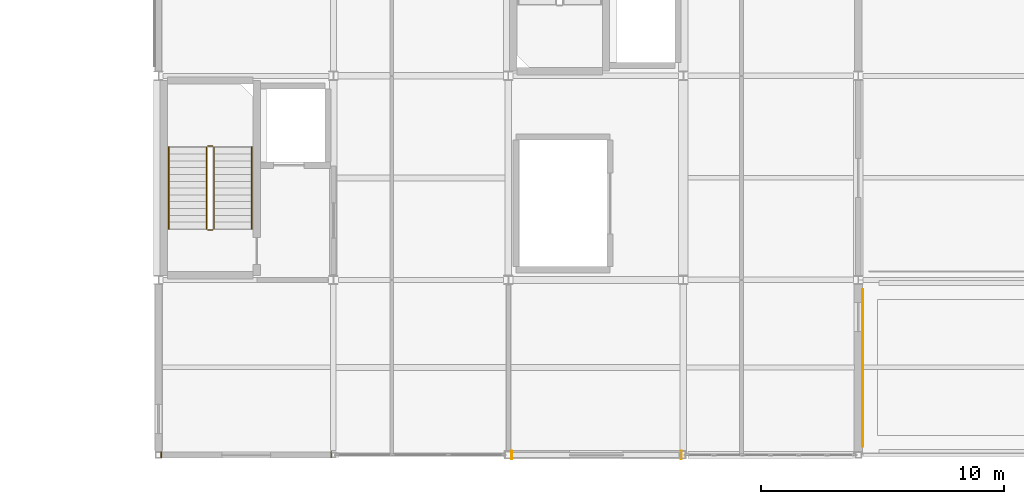
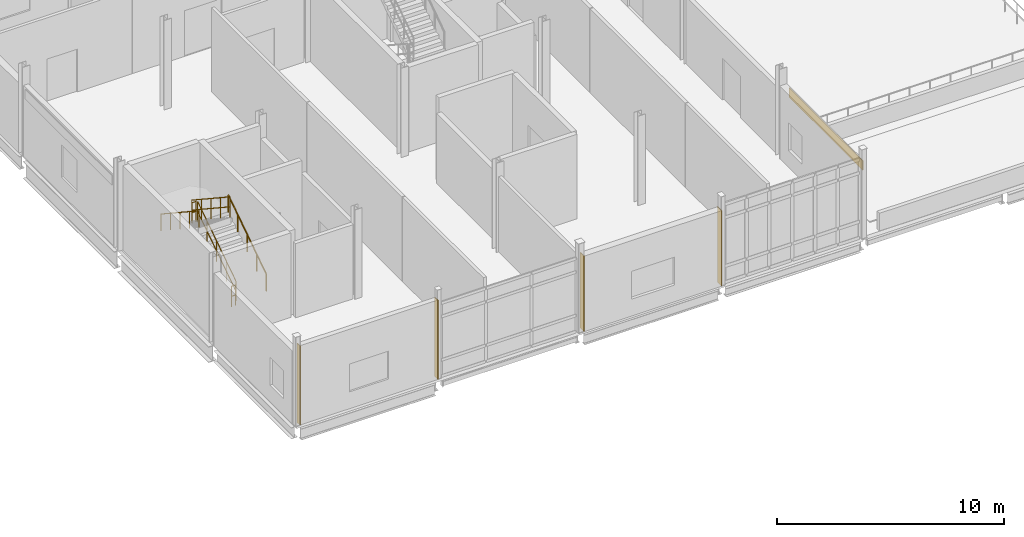
# One storey, part 65 of 72: 6 railings, 5 coverings.
"""IFC4 building model written with IfcOpenShell, lengths in metres."""

from ifc_helpers import new_model, si_unit, direction, frame, origin, origin_2d, place, context, subcontext, project, spatial, polyline, rectangle, circle, outline, extrude, material, layer, layer_set, type_object, element, save


model = new_model("IFC4")

# Units and contexts
model_context = context("Model", 3, precision=1e-05, world=origin(), true_north=direction((0.0, 1.0)))
body_context = subcontext(model_context, "Body", "Model", "MODEL_VIEW")
ifc_project = project(units=[si_unit("LENGTHUNIT", "METRE"), si_unit("AREAUNIT", "SQUARE_METRE"), si_unit("VOLUMEUNIT", "CUBIC_METRE"), si_unit("PLANEANGLEUNIT", "RADIAN"), si_unit("MASSUNIT", "GRAM", prefix="KILO")], contexts=[model_context])

# Site, building, storey
site_placement = place(None, origin())
site = spatial("IfcSite", under=ifc_project, at=site_placement, CompositionType="ELEMENT")
building_placement = place(site_placement, origin())
building = spatial("IfcBuilding", under=site, at=building_placement, Name="Calvrana Isthmian Art Gallery", CompositionType="ELEMENT")
storey_placement = place(building_placement, frame((0.0, 0.0, 15.0)))
storey = spatial("IfcBuildingStorey", under=building, at=storey_placement, Name="L03", CompositionType="ELEMENT", Elevation=15.0)

# Coverings
ifc_material_1 = material(Name="Polychrome glazed terracotta", Category="masonry")
ifc_layer = layer(ifc_material_1, 0.0400390625, Name="Polychrome glazed terracotta")
ifc_layer_set = layer_set([ifc_layer], Name="Polychrome glazed terracotta")
covering_type = type_object("IfcCoveringType", Name="COV-CLAD-TERRA", PredefinedType="CLADDING", material=ifc_layer_set)
covering_1_placement = place(storey_placement, origin())
element("IfcCovering", 1, at=covering_1_placement, inside=storey, type_object=covering_type, Name="Column pocket weather closure L03-14-02-W", PredefinedType="CLADDING", context=body_context, shape_type="SweptSolid", body=[
    extrude(outline(polyline([(112.886962890625, 14.27490234375), (112.927001953125, 14.27490234375), (112.927001953125, 14.52490234375), (112.886962890625, 14.52490234375), (112.886962890625, 14.27490234375)])), origin(), (0.0, 0.0, 1.0), 4.26611328125),
])
covering_2_placement = place(storey_placement, origin())
element("IfcCovering", 2, at=covering_2_placement, inside=storey, type_object=covering_type, Name="Column pocket weather closure L03-14-02-E", PredefinedType="CLADDING", context=body_context, shape_type="SweptSolid", body=[
    extrude(outline(polyline([(119.8984375, 14.27490234375), (119.9384765625, 14.27490234375), (119.9384765625, 14.52490234375), (119.8984375, 14.52490234375), (119.8984375, 14.27490234375)])), origin(), (0.0, 0.0, 1.0), 4.26611328125),
])
covering_3_placement = place(storey_placement, origin())
element("IfcCovering", 3, at=covering_3_placement, inside=storey, type_object=covering_type, Name="Column pocket weather closure L03-16-02-W", PredefinedType="CLADDING", context=body_context, shape_type="SweptSolid", body=[
    extrude(outline(polyline([(127.3125, 14.22509765625), (127.352294921875, 14.22509765625), (127.352294921875, 14.574951171875), (127.3125, 14.574951171875), (127.3125, 14.22509765625)])), origin(), (0.0, 0.0, 1.0), 4.05810546875),
])
covering_4_placement = place(storey_placement, origin())
element("IfcCovering", 4, at=covering_4_placement, inside=storey, type_object=covering_type, Name="Column pocket weather closure L03-16-02-E", PredefinedType="CLADDING", context=body_context, shape_type="SweptSolid", body=[
    extrude(outline(polyline([(134.29833984375, 14.22509765625), (134.33837890625, 14.22509765625), (134.33837890625, 14.574951171875), (134.29833984375, 14.574951171875), (134.29833984375, 14.22509765625)])), origin(), (0.0, 0.0, 1.0), 4.05810546875),
])
covering_5_placement = place(storey_placement, frame((141.79296875, 17.972900390625, 3.31298828125), z_axis=(0.0, 0.0, 1.0), x_axis=(0.0, -1.0, 0.0)))
element("IfcCovering", 5, at=covering_5_placement, inside=storey, type_object=covering_type, Name="Terracotta spandrel cladding 175", PredefinedType="CLADDING", context=body_context, shape_type="SweptSolid", body=[
    extrude(rectangle(XDim=6.491455078125, YDim=0.0400390625, at=origin_2d()), origin(), (0.0, 0.0, 1.0), 0.5),
])

# Railings
ifc_material_2 = material(Name="Stainless steel 316", Category="steel")
railing_type_1 = type_object("IfcRailingType", Name="RL-GUARD-1120", PredefinedType="BALUSTRADE", material=ifc_material_2)
railing_1_placement = place(storey_placement, frame((115.080078125, 23.699951171875, 0.1845703125)))
element("IfcRailing", 6, at=railing_1_placement, inside=storey, type_object=railing_type_1, Name="Stair ST-3 guard L03-1", PredefinedType="BALUSTRADE", context=body_context, shape_type="SweptSolid", body=[
    extrude(circle(Radius=0.02392578125, at=origin_2d()), frame((0.0, 0.0, 1.09619140625), z_axis=(0.0, 0.834876476806, 0.550437342915), x_axis=(-1.0, 0.0, 0.0)), (0.0, 0.0, 1.0), 4.024658203125),
    extrude(circle(Radius=0.02392578125, at=origin_2d()), frame((0.0, 0.0, 0.56005859375), z_axis=(0.0, 0.834876476806, 0.550437342915), x_axis=(-1.0, 0.0, 0.0)), (0.0, 0.0, 1.0), 4.024658203125),
    extrude(circle(Radius=0.02099609375, at=origin_2d()), origin(), (0.0, 0.0, 1.0), 1.072021484375),
    extrude(circle(Radius=0.02099609375, at=origin_2d()), frame((0.0, 0.840087890625, 0.5537109375)), (0.0, 0.0, 1.0), 1.072021484375),
    extrude(circle(Radius=0.02099609375, at=origin_2d()), frame((0.0, 1.68017578125, 1.107666015625)), (0.0, 0.0, 1.0), 1.072021484375),
    extrude(circle(Radius=0.02099609375, at=origin_2d()), frame((0.0, 2.52001953125, 1.66162109375)), (0.0, 0.0, 1.0), 1.072021484375),
    extrude(circle(Radius=0.02099609375, at=origin_2d()), frame((0.0, 3.360107421875, 2.21533203125)), (0.0, 0.0, 1.0), 1.072021484375),
])
railing_2_placement = place(storey_placement, frame((115.030029296875, 27.110107421875, 2.39990234375)))
element("IfcRailing", 7, at=railing_2_placement, inside=storey, type_object=railing_type_1, Name="Stair ST-3 guard L03-2", PredefinedType="BALUSTRADE", context=body_context, shape_type="SweptSolid", body=[
    extrude(circle(Radius=0.02392578125, at=origin_2d()), frame((0.0, 0.0, 1.09619140625), z_axis=(-1.0, 0.0, 0.0), x_axis=(0.0, -1.0, 0.0)), (0.0, 0.0, 1.0), 0.199951171875),
    extrude(circle(Radius=0.02392578125, at=origin_2d()), frame((0.0, 0.0, 0.56005859375), z_axis=(-1.0, 0.0, 0.0), x_axis=(0.0, -1.0, 0.0)), (0.0, 0.0, 1.0), 0.199951171875),
    extrude(circle(Radius=0.02099609375, at=origin_2d()), origin(), (0.0, 0.0, 1.0), 1.072021484375),
    extrude(circle(Radius=0.02099609375, at=origin_2d()), frame((-0.199951171875, 0.0, 0.0)), (0.0, 0.0, 1.0), 1.072021484375),
])
railing_3_placement = place(storey_placement, frame((114.780029296875, 27.06005859375, 2.584716796875)))
element("IfcRailing", 8, at=railing_3_placement, inside=storey, type_object=railing_type_1, Name="Stair ST-3 guard L03-3", PredefinedType="BALUSTRADE", context=body_context, shape_type="SweptSolid", body=[
    extrude(circle(Radius=0.02392578125, at=origin_2d()), frame((0.0, 0.0, 1.09619140625), z_axis=(0.0, -0.834876476806, 0.550437342915), x_axis=(1.0, 0.0, 0.0)), (0.0, 0.0, 1.0), 4.024658203125),
    extrude(circle(Radius=0.02392578125, at=origin_2d()), frame((0.0, 0.0, 0.56005859375), z_axis=(0.0, -0.834876476806, 0.550437342915), x_axis=(1.0, 0.0, 0.0)), (0.0, 0.0, 1.0), 4.024658203125),
    extrude(circle(Radius=0.02099609375, at=origin_2d()), origin(), (0.0, 0.0, 1.0), 1.072021484375),
    extrude(circle(Radius=0.02099609375, at=origin_2d()), frame((0.0, -0.840087890625, 0.5537109375)), (0.0, 0.0, 1.0), 1.072021484375),
    extrude(circle(Radius=0.02099609375, at=origin_2d()), frame((0.0, -1.68017578125, 1.107666015625)), (0.0, 0.0, 1.0), 1.072021484375),
    extrude(circle(Radius=0.02099609375, at=origin_2d()), frame((0.0, -2.52001953125, 1.66162109375)), (0.0, 0.0, 1.0), 1.072021484375),
    extrude(circle(Radius=0.02099609375, at=origin_2d()), frame((0.0, -3.360107421875, 2.21533203125)), (0.0, 0.0, 1.0), 1.072021484375),
])
railing_4_placement = place(storey_placement, frame((115.030029296875, 23.64990234375, 0.0)))
element("IfcRailing", 9, at=railing_4_placement, inside=storey, type_object=railing_type_1, Name="Stair ST-3 guard L03-4", PredefinedType="BALUSTRADE", context=body_context, shape_type="SweptSolid", body=[
    extrude(circle(Radius=0.02392578125, at=origin_2d()), frame((0.0, 0.0, 1.09619140625), z_axis=(-1.0, 0.0, 0.0), x_axis=(0.0, -1.0, 0.0)), (0.0, 0.0, 1.0), 0.199951171875),
    extrude(circle(Radius=0.02392578125, at=origin_2d()), frame((0.0, 0.0, 0.56005859375), z_axis=(-1.0, 0.0, 0.0), x_axis=(0.0, -1.0, 0.0)), (0.0, 0.0, 1.0), 0.199951171875),
    extrude(circle(Radius=0.02099609375, at=origin_2d()), origin(), (0.0, 0.0, 1.0), 1.072021484375),
    extrude(circle(Radius=0.02099609375, at=origin_2d()), frame((-0.199951171875, 0.0, 0.0)), (0.0, 0.0, 1.0), 1.072021484375),
])
railing_type_2 = type_object("IfcRailingType", Name="RL-HAND-920", PredefinedType="HANDRAIL", material=ifc_material_2)
railing_5_placement = place(storey_placement, frame((116.639892578125, 23.699951171875, 0.1845703125)))
element("IfcRailing", 10, at=railing_5_placement, inside=storey, type_object=railing_type_2, Name="Stair ST-3 handrail L03-1", PredefinedType="HANDRAIL", context=body_context, shape_type="SweptSolid", body=[
    extrude(circle(Radius=0.02392578125, at=origin_2d()), frame((0.0, 0.0, 0.89599609375), z_axis=(0.0, 0.834876476806, 0.550437342915), x_axis=(-1.0, 0.0, 0.0)), (0.0, 0.0, 1.0), 4.024658203125),
    extrude(circle(Radius=0.02099609375, at=origin_2d()), origin(), (0.0, 0.0, 1.0), 0.871826171875),
    extrude(circle(Radius=0.02099609375, at=origin_2d()), frame((0.0, 0.840087890625, 0.5537109375)), (0.0, 0.0, 1.0), 0.871826171875),
    extrude(circle(Radius=0.02099609375, at=origin_2d()), frame((0.0, 1.68017578125, 1.107666015625)), (0.0, 0.0, 1.0), 0.871826171875),
    extrude(circle(Radius=0.02099609375, at=origin_2d()), frame((0.0, 2.52001953125, 1.66162109375)), (0.0, 0.0, 1.0), 0.871826171875),
    extrude(circle(Radius=0.02099609375, at=origin_2d()), frame((0.0, 3.360107421875, 2.21533203125)), (0.0, 0.0, 1.0), 0.871826171875),
])
railing_6_placement = place(storey_placement, frame((113.219970703125, 27.06005859375, 2.584716796875)))
element("IfcRailing", 11, at=railing_6_placement, inside=storey, type_object=railing_type_2, Name="Stair ST-3 handrail L03-2", PredefinedType="HANDRAIL", context=body_context, shape_type="SweptSolid", body=[
    extrude(circle(Radius=0.02392578125, at=origin_2d()), frame((0.0, 0.0, 0.89599609375), z_axis=(0.0, -0.834876476806, 0.550437342915), x_axis=(1.0, 0.0, 0.0)), (0.0, 0.0, 1.0), 4.024658203125),
    extrude(circle(Radius=0.02099609375, at=origin_2d()), origin(), (0.0, 0.0, 1.0), 0.871826171875),
    extrude(circle(Radius=0.02099609375, at=origin_2d()), frame((0.0, -0.840087890625, 0.5537109375)), (0.0, 0.0, 1.0), 0.871826171875),
    extrude(circle(Radius=0.02099609375, at=origin_2d()), frame((0.0, -1.68017578125, 1.107666015625)), (0.0, 0.0, 1.0), 0.871826171875),
    extrude(circle(Radius=0.02099609375, at=origin_2d()), frame((0.0, -2.52001953125, 1.66162109375)), (0.0, 0.0, 1.0), 0.871826171875),
    extrude(circle(Radius=0.02099609375, at=origin_2d()), frame((0.0, -3.360107421875, 2.21533203125)), (0.0, 0.0, 1.0), 0.871826171875),
])

save(model, "model.ifc")
